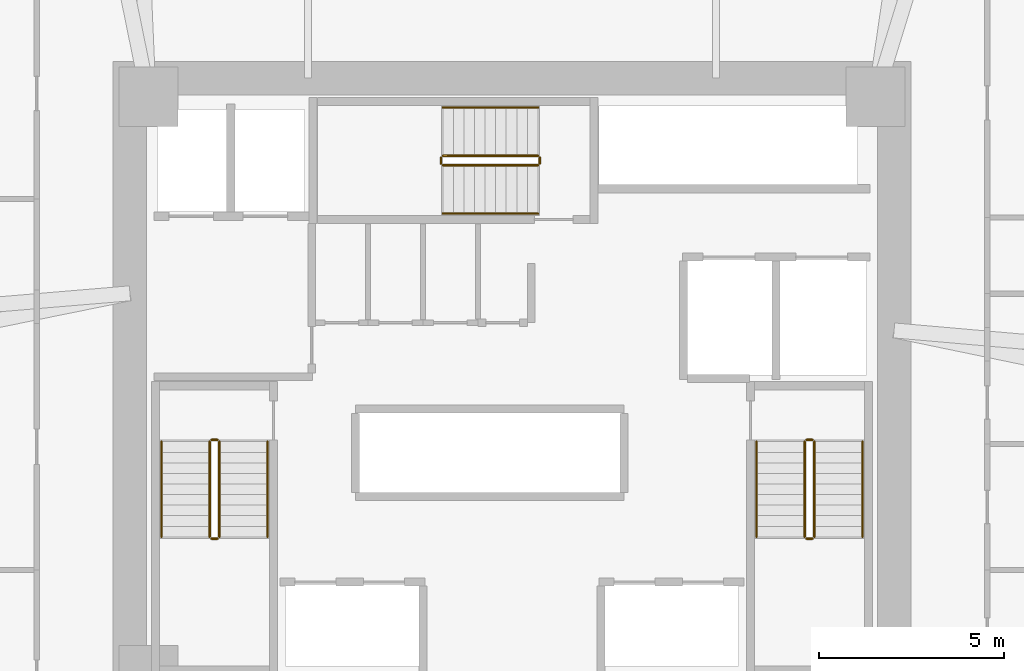
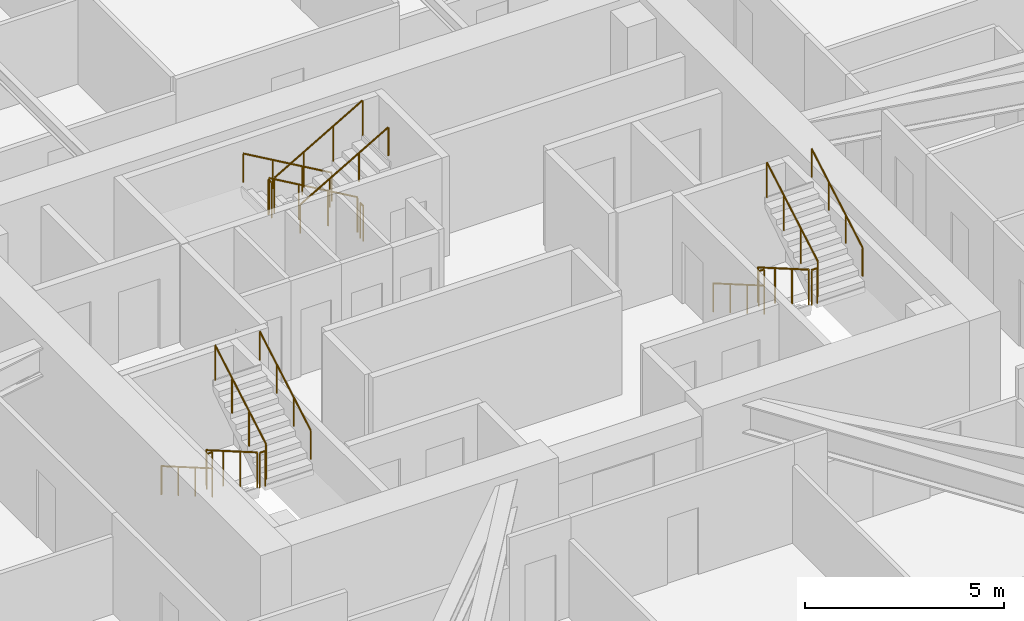
# One storey, part 15 of 15: 18 railings.
"""IFC4 building model written with IfcOpenShell, lengths in metres."""

import ifcopenshell
import ifcopenshell.guid

model = None  # the IFC model being written
_history = None  # IfcOwnerHistory: only IFC2X3 demands one
_inside = {}  # id of a spatial element -> (the spatial element, [elements in it])
_under = {}  # id of a project, library or spatial element -> (it, [spatial elements below it])
_declared = {}  # id of a project -> (the project, [libraries it declares])
_typed = {}  # id of a type object -> (the type object, [elements of that type])
_made_of = {}  # id of a material, layer set ... -> (it, [elements and type objects made of it])


def new_model(schema):
    """Start an empty IFC model of exactly this schema.

    Asked for "IFC4X3", IfcOpenShell would pick the latest addendum, in which some entities
    have other attributes; the version numbers below select the first issue.
    IFC2X3 requires an IfcOwnerHistory on every rooted entity: one is made here for all.
    """
    global model, _history
    if schema == "IFC4X3":
        model = ifcopenshell.file(schema_version=(4, 3, 0, 0))
    else:
        model = ifcopenshell.file(schema=schema)
    _inside.clear()
    _under.clear()
    _declared.clear()
    _typed.clear()
    _made_of.clear()
    _history = None
    if model.schema == "IFC2X3":
        org = make("IfcOrganization", Name="unknown")
        user = make(
            "IfcPersonAndOrganization",
            ThePerson=make("IfcPerson", FamilyName="unknown"),
            TheOrganization=org,
        )
        app = make(
            "IfcApplication",
            ApplicationDeveloper=org,
            Version="unknown",
            ApplicationFullName="unknown",
            ApplicationIdentifier="unknown",
        )
        _history = make(
            "IfcOwnerHistory",
            OwningUser=user,
            OwningApplication=app,
            ChangeAction="ADDED",
            CreationDate=0,
        )
    return model


def make(cls, **values):
    """One entity of the class cls with the attributes given. An attribute that is None is left unset."""
    return model.create_entity(
        cls, **{name: value for name, value in values.items() if value is not None}
    )


def rooted(cls, **values):
    """An entity with a GlobalId (a new one), such as an element, a storey or a relation."""
    return make(cls, GlobalId=ifcopenshell.guid.new(), OwnerHistory=_history, **values)


def si_unit(unit_type, name, prefix=None):
    """IfcSIUnit, for example si_unit("LENGTHUNIT", "METRE", prefix="MILLI")."""
    return make("IfcSIUnit", UnitType=unit_type, Prefix=prefix, Name=name)


def assignment(units):
    """IfcUnitAssignment: the units of a project."""
    return None if units is None else make("IfcUnitAssignment", Units=units)


def point(xyz):
    """IfcCartesianPoint."""
    return None if xyz is None else make("IfcCartesianPoint", Coordinates=xyz)


def direction(xyz):
    """IfcDirection."""
    return None if xyz is None else make("IfcDirection", DirectionRatios=xyz)


def frame(location, z_axis=None, x_axis=None):
    """IfcAxis2Placement3D, a coordinate frame: its origin and axes. An axis left out is left unset."""
    return make(
        "IfcAxis2Placement3D",
        Location=point(location),
        Axis=direction(z_axis),
        RefDirection=direction(x_axis),
    )


def frame_2d(location, x_axis=None):
    """IfcAxis2Placement2D, a coordinate frame in the plane: its origin and x axis."""
    return make(
        "IfcAxis2Placement2D", Location=point(location), RefDirection=direction(x_axis)
    )


def origin():
    """The frame at (0, 0, 0) with its axes left unset."""
    return frame((0.0, 0.0, 0.0))


def origin_2d():
    """The frame at (0, 0) in the plane with its x axis left unset."""
    return frame_2d((0.0, 0.0))


def place(relative_to, where):
    """IfcLocalPlacement: puts the frame where relative to a parent placement (None: the world)."""
    return make(
        "IfcLocalPlacement", PlacementRelTo=relative_to, RelativePlacement=where
    )


def context(
    kind, dimensions, precision=None, world=None, true_north=None, identifier=None
):
    """IfcGeometricRepresentationContext, for example the 3D "Model" context."""
    return make(
        "IfcGeometricRepresentationContext",
        ContextIdentifier=identifier,
        ContextType=kind,
        CoordinateSpaceDimension=dimensions,
        Precision=precision,
        WorldCoordinateSystem=world,
        TrueNorth=true_north,
    )


def subcontext(parent, identifier, kind, view, scale=None):
    """IfcGeometricRepresentationSubContext, for example "Body" below "Model"."""
    return make(
        "IfcGeometricRepresentationSubContext",
        ContextIdentifier=identifier,
        ContextType=kind,
        ParentContext=parent,
        TargetScale=scale,
        TargetView=view,
    )


def project(units=None, contexts=None):
    """IfcProject with its units and contexts."""
    return rooted(
        "IfcProject",
        Name="project",
        RepresentationContexts=contexts,
        UnitsInContext=assignment(units),
    )


def spatial(cls, under=None, at=None, **own):
    """A site, building, storey or space (cls), placed at a placement, below another one or the project."""
    s = rooted(cls, ObjectPlacement=at, **own)
    if under is not None:
        _under.setdefault(under.id(), (under, []))[1].append(s)
    return s


def profile(cls, at=None, kind="AREA", **sizes):
    """A parametric profile (cls). Its sizes go by their IFC names, for example OverallWidth=200.0."""
    return make(cls, ProfileType=kind, Position=at, **sizes)


def circle(**sizes):
    """IfcCircleProfileDef."""
    return profile("IfcCircleProfileDef", **sizes)


def extrude(swept, where, along, depth):
    """IfcExtrudedAreaSolid: the profile swept, set in the frame where, extruded along a direction by depth."""
    return make(
        "IfcExtrudedAreaSolid",
        SweptArea=swept,
        Position=where,
        ExtrudedDirection=direction(along),
        Depth=depth,
    )


def shape(context_of_items, identifier, shape_type, items):
    """IfcShapeRepresentation: the items that make up one representation, for example the "Body"."""
    return make(
        "IfcShapeRepresentation",
        ContextOfItems=context_of_items,
        RepresentationIdentifier=identifier,
        RepresentationType=shape_type,
        Items=items,
    )


def material(Name=None, Category=None):
    """IfcMaterial."""
    return make("IfcMaterial", Name=Name, Category=Category)


def made_of(thing, what):
    """Note that an element or type object is made of a material, layer set ...; save() writes the relation."""
    if what is not None:
        _made_of.setdefault(what.id(), (what, []))[1].append(thing)
    return thing


def type_object(cls, material=None, **own):
    """A type object (cls), such as IfcWallType, which elements share."""
    return made_of(rooted(cls, **own), material)


def element(
    cls,
    number,
    at=None,
    inside=None,
    cuts=None,
    type_object=None,
    material=None,
    context=None,
    identifier="Body",
    shape_type=None,
    held_by="IfcProductDefinitionShape",
    body=None,
    shapes=None,
    **own,
):
    """One element of the class cls, such as IfcWall. Its Tag is "e" and its number.

    at: its placement. inside: the storey or other place that contains it. cuts: it is an
    opening in that element (IfcRelVoidsElement). A single representation is given by context,
    identifier, shape_type and body (its items); several are given by shapes. held_by: the class
    of the entity that holds the representations. save() writes the other relations.
    """
    e = rooted(cls, Tag="e%d" % number, ObjectPlacement=at, **own)
    if body is not None:
        shapes = [shape(context, identifier, shape_type, body)]
    if shapes is not None:
        e.Representation = make(held_by, Representations=shapes)
    if inside is not None:
        _inside.setdefault(inside.id(), (inside, []))[1].append(e)
    if cuts is not None:
        rooted(
            "IfcRelVoidsElement", RelatingBuildingElement=cuts, RelatedOpeningElement=e
        )
    if type_object is not None:
        _typed.setdefault(type_object.id(), (type_object, []))[1].append(e)
    return made_of(e, material)


def aggregate(whole, parts):
    """IfcRelAggregates: a whole, such as a stair, and the parts it consists of."""
    return rooted("IfcRelAggregates", RelatingObject=whole, RelatedObjects=parts)


def save(model, path):
    """Write the relations noted so far, then the file.

    IfcRelAggregates (storeys below a building ...), IfcRelContainedInSpatialStructure (elements
    in a storey), IfcRelDefinesByType, IfcRelAssociatesMaterial and IfcRelDeclares: one each for
    every whole, place, type object, material and project.
    """
    for whole, parts in _under.values():
        aggregate(whole, parts)
    for where, things in _inside.values():
        rooted(
            "IfcRelContainedInSpatialStructure",
            RelatedElements=things,
            RelatingStructure=where,
        )
    for kind, things in _typed.values():
        rooted("IfcRelDefinesByType", RelatedObjects=things, RelatingType=kind)
    for what, things in _made_of.values():
        rooted("IfcRelAssociatesMaterial", RelatedObjects=things, RelatingMaterial=what)
    for by, libraries in _declared.values():
        rooted("IfcRelDeclares", RelatingContext=by, RelatedDefinitions=libraries)
    model.write(path)


model = new_model("IFC4")

# Units and contexts
model_context = context("Model", 3, precision=1e-05, world=origin(), true_north=direction((0.0, 1.0)))
body_context = subcontext(model_context, "Body", "Model", "MODEL_VIEW")
ifc_project = project(units=[si_unit("LENGTHUNIT", "METRE"), si_unit("AREAUNIT", "SQUARE_METRE"), si_unit("VOLUMEUNIT", "CUBIC_METRE"), si_unit("PLANEANGLEUNIT", "RADIAN"), si_unit("MASSUNIT", "GRAM", prefix="KILO")], contexts=[model_context])

# Site, building, storey
site_placement = place(None, origin())
site = spatial("IfcSite", under=ifc_project, at=site_placement, CompositionType="ELEMENT")
building_placement = place(site_placement, origin())
building = spatial("IfcBuilding", under=site, at=building_placement, Name="Durnholm Broadcast Tower", CompositionType="ELEMENT")
storey_placement = place(building_placement, frame((0.0, 0.0, 42.300048828125)))
storey = spatial("IfcBuildingStorey", under=building, at=storey_placement, Name="L09", CompositionType="ELEMENT", Elevation=42.300048828125)

# Railings
ifc_material_1 = material(Name="Painted Tubular Steel Stair Guardrail", Category="steel")
railing_type_1 = type_object("IfcRailingType", Name="RAIL-ST-GRD", PredefinedType="GUARDRAIL", material=ifc_material_1)
railing_1_placement = place(storey_placement, frame((-8.14990234375, -1.5, 0.1650390625)))
element("IfcRailing", 1, at=railing_1_placement, inside=storey, type_object=railing_type_1, Name="L09 ST-1 stair guard 1", PredefinedType="GUARDRAIL", context=body_context, shape_type="SweptSolid", body=[
    extrude(circle(Radius=0.02392578125, at=origin_2d()), frame((0.0, 0.0, 1.076171875), z_axis=(0.0, -0.865441324677, 0.50101029285), x_axis=(1.0, 0.0, 0.0)), (0.0, 0.0, 1.0), 2.963623046875),
    extrude(circle(Radius=0.02099609375, at=origin_2d()), origin(), (0.0, 0.0, 1.0), 1.052001953125),
    extrude(circle(Radius=0.02099609375, at=origin_2d()), frame((0.0, -0.85498046875, 0.494873046875)), (0.0, 0.0, 1.0), 1.052001953125),
    extrude(circle(Radius=0.02099609375, at=origin_2d()), frame((0.0, -1.7099609375, 0.989990234375)), (0.0, 0.0, 1.0), 1.052001953125),
    extrude(circle(Radius=0.02099609375, at=origin_2d()), frame((0.0, -2.56494140625, 1.48486328125)), (0.0, 0.0, 1.0), 1.052001953125),
])
railing_2_placement = place(storey_placement, frame((-8.10009765625, -4.114990234375, 1.64990234375)))
element("IfcRailing", 2, at=railing_2_placement, inside=storey, type_object=railing_type_1, Name="L09 ST-1 stair guard 2", PredefinedType="GUARDRAIL", context=body_context, shape_type="SweptSolid", body=[
    extrude(circle(Radius=0.02392578125, at=origin_2d()), frame((0.0, 0.0, 1.076171875), z_axis=(1.0, 0.0, 0.0), x_axis=(0.0, 1.0, 0.0)), (0.0, 0.0, 1.0), 0.16015625),
    extrude(circle(Radius=0.02099609375, at=origin_2d()), origin(), (0.0, 0.0, 1.0), 1.052001953125),
    extrude(circle(Radius=0.02099609375, at=origin_2d()), frame((0.16015625, 0.0, 0.0)), (0.0, 0.0, 1.0), 1.052001953125),
])
railing_3_placement = place(storey_placement, frame((-7.889892578125, -4.06494140625, 1.81494140625)))
element("IfcRailing", 3, at=railing_3_placement, inside=storey, type_object=railing_type_1, Name="L09 ST-1 stair guard 3", PredefinedType="GUARDRAIL", context=body_context, shape_type="SweptSolid", body=[
    extrude(circle(Radius=0.02392578125, at=origin_2d()), frame((0.0, 0.0, 1.076171875), z_axis=(0.0, 0.865405606168, 0.501071987656), x_axis=(-1.0, 0.0, 0.0)), (0.0, 0.0, 1.0), 2.9638671875),
    extrude(circle(Radius=0.02099609375, at=origin_2d()), origin(), (0.0, 0.0, 1.0), 1.052001953125),
    extrude(circle(Radius=0.02099609375, at=origin_2d()), frame((0.0, 0.85498046875, 0.4951171875)), (0.0, 0.0, 1.0), 1.052001953125),
    extrude(circle(Radius=0.02099609375, at=origin_2d()), frame((0.0, 1.7099609375, 0.989990234375)), (0.0, 0.0, 1.0), 1.052001953125),
    extrude(circle(Radius=0.02099609375, at=origin_2d()), frame((0.0, 2.56494140625, 1.485107421875)), (0.0, 0.0, 1.0), 1.052001953125),
])
railing_4_placement = place(storey_placement, frame((-8.10009765625, -1.449951171875, 0.0)))
element("IfcRailing", 4, at=railing_4_placement, inside=storey, type_object=railing_type_1, Name="L09 ST-1 stair guard 4", PredefinedType="GUARDRAIL", context=body_context, shape_type="SweptSolid", body=[
    extrude(circle(Radius=0.02392578125, at=origin_2d()), frame((0.0, 0.0, 1.076171875), z_axis=(1.0, 0.0, 0.0), x_axis=(0.0, 1.0, 0.0)), (0.0, 0.0, 1.0), 0.16015625),
    extrude(circle(Radius=0.02099609375, at=origin_2d()), origin(), (0.0, 0.0, 1.0), 1.052001953125),
    extrude(circle(Radius=0.02099609375, at=origin_2d()), frame((0.16015625, 0.0, 0.0)), (0.0, 0.0, 1.0), 1.052001953125),
])
railing_5_placement = place(storey_placement, frame((7.889892578125, -1.5, 0.1650390625)))
element("IfcRailing", 5, at=railing_5_placement, inside=storey, type_object=railing_type_1, Name="L09 ST-2 stair guard 1", PredefinedType="GUARDRAIL", context=body_context, shape_type="SweptSolid", body=[
    extrude(circle(Radius=0.02392578125, at=origin_2d()), frame((0.0, 0.0, 1.076171875), z_axis=(0.0, -0.865441324677, 0.50101029285), x_axis=(1.0, 0.0, 0.0)), (0.0, 0.0, 1.0), 2.963623046875),
    extrude(circle(Radius=0.02099609375, at=origin_2d()), origin(), (0.0, 0.0, 1.0), 1.052001953125),
    extrude(circle(Radius=0.02099609375, at=origin_2d()), frame((0.0, -0.85498046875, 0.494873046875)), (0.0, 0.0, 1.0), 1.052001953125),
    extrude(circle(Radius=0.02099609375, at=origin_2d()), frame((0.0, -1.7099609375, 0.989990234375)), (0.0, 0.0, 1.0), 1.052001953125),
    extrude(circle(Radius=0.02099609375, at=origin_2d()), frame((0.0, -2.56494140625, 1.48486328125)), (0.0, 0.0, 1.0), 1.052001953125),
])
railing_6_placement = place(storey_placement, frame((7.93994140625, -4.114990234375, 1.64990234375)))
element("IfcRailing", 6, at=railing_6_placement, inside=storey, type_object=railing_type_1, Name="L09 ST-2 stair guard 2", PredefinedType="GUARDRAIL", context=body_context, shape_type="SweptSolid", body=[
    extrude(circle(Radius=0.02392578125, at=origin_2d()), frame((0.0, 0.0, 1.076171875), z_axis=(1.0, 0.0, 0.0), x_axis=(0.0, 1.0, 0.0)), (0.0, 0.0, 1.0), 0.16015625),
    extrude(circle(Radius=0.02099609375, at=origin_2d()), origin(), (0.0, 0.0, 1.0), 1.052001953125),
    extrude(circle(Radius=0.02099609375, at=origin_2d()), frame((0.16015625, 0.0, 0.0)), (0.0, 0.0, 1.0), 1.052001953125),
])
railing_7_placement = place(storey_placement, frame((8.14990234375, -4.06494140625, 1.81494140625)))
element("IfcRailing", 7, at=railing_7_placement, inside=storey, type_object=railing_type_1, Name="L09 ST-2 stair guard 3", PredefinedType="GUARDRAIL", context=body_context, shape_type="SweptSolid", body=[
    extrude(circle(Radius=0.02392578125, at=origin_2d()), frame((0.0, 0.0, 1.076171875), z_axis=(0.0, 0.865405606168, 0.501071987656), x_axis=(-1.0, 0.0, 0.0)), (0.0, 0.0, 1.0), 2.9638671875),
    extrude(circle(Radius=0.02099609375, at=origin_2d()), origin(), (0.0, 0.0, 1.0), 1.052001953125),
    extrude(circle(Radius=0.02099609375, at=origin_2d()), frame((0.0, 0.85498046875, 0.4951171875)), (0.0, 0.0, 1.0), 1.052001953125),
    extrude(circle(Radius=0.02099609375, at=origin_2d()), frame((0.0, 1.7099609375, 0.989990234375)), (0.0, 0.0, 1.0), 1.052001953125),
    extrude(circle(Radius=0.02099609375, at=origin_2d()), frame((0.0, 2.56494140625, 1.485107421875)), (0.0, 0.0, 1.0), 1.052001953125),
])
railing_8_placement = place(storey_placement, frame((7.93994140625, -1.449951171875, 0.0)))
element("IfcRailing", 8, at=railing_8_placement, inside=storey, type_object=railing_type_1, Name="L09 ST-2 stair guard 4", PredefinedType="GUARDRAIL", context=body_context, shape_type="SweptSolid", body=[
    extrude(circle(Radius=0.02392578125, at=origin_2d()), frame((0.0, 0.0, 1.076171875), z_axis=(1.0, 0.0, 0.0), x_axis=(0.0, 1.0, 0.0)), (0.0, 0.0, 1.0), 0.16015625),
    extrude(circle(Radius=0.02099609375, at=origin_2d()), origin(), (0.0, 0.0, 1.0), 1.052001953125),
    extrude(circle(Radius=0.02099609375, at=origin_2d()), frame((0.16015625, 0.0, 0.0)), (0.0, 0.0, 1.0), 1.052001953125),
])
railing_9_placement = place(storey_placement, frame((0.699951171875, 6.2099609375, 0.1650390625)))
element("IfcRailing", 9, at=railing_9_placement, inside=storey, type_object=railing_type_1, Name="L09 ST-3 stair guard 1", PredefinedType="GUARDRAIL", context=body_context, shape_type="SweptSolid", body=[
    extrude(circle(Radius=0.02392578125, at=origin_2d()), frame((0.0, 0.0, 1.076171875), z_axis=(-0.865441324677, 0.0, 0.50101029285), x_axis=(0.0, -1.0, 0.0)), (0.0, 0.0, 1.0), 2.963623046875),
    extrude(circle(Radius=0.02099609375, at=origin_2d()), origin(), (0.0, 0.0, 1.0), 1.052001953125),
    extrude(circle(Radius=0.02099609375, at=origin_2d()), frame((-0.85498046875, 0.0, 0.494873046875)), (0.0, 0.0, 1.0), 1.052001953125),
    extrude(circle(Radius=0.02099609375, at=origin_2d()), frame((-1.7099609375, 0.0, 0.989990234375)), (0.0, 0.0, 1.0), 1.052001953125),
    extrude(circle(Radius=0.02099609375, at=origin_2d()), frame((-2.56494140625, 0.0, 1.48486328125)), (0.0, 0.0, 1.0), 1.052001953125),
])
railing_10_placement = place(storey_placement, frame((-1.9150390625, 6.159912109375, 1.64990234375)))
element("IfcRailing", 10, at=railing_10_placement, inside=storey, type_object=railing_type_1, Name="L09 ST-3 stair guard 2", PredefinedType="GUARDRAIL", context=body_context, shape_type="SweptSolid", body=[
    extrude(circle(Radius=0.02392578125, at=origin_2d()), frame((0.0, 0.0, 1.076171875), z_axis=(0.0, -1.0, 0.0), x_axis=(1.0, 0.0, 0.0)), (0.0, 0.0, 1.0), 0.159912109375),
    extrude(circle(Radius=0.02099609375, at=origin_2d()), origin(), (0.0, 0.0, 1.0), 1.052001953125),
    extrude(circle(Radius=0.02099609375, at=origin_2d()), frame((0.0, -0.159912109375, 0.0)), (0.0, 0.0, 1.0), 1.052001953125),
])
railing_11_placement = place(storey_placement, frame((-1.864990234375, 5.949951171875, 1.81494140625)))
element("IfcRailing", 11, at=railing_11_placement, inside=storey, type_object=railing_type_1, Name="L09 ST-3 stair guard 3", PredefinedType="GUARDRAIL", context=body_context, shape_type="SweptSolid", body=[
    extrude(circle(Radius=0.02392578125, at=origin_2d()), frame((0.0, 0.0, 1.076171875), z_axis=(0.865405606168, 0.0, 0.501071987656), x_axis=(0.0, 1.0, 0.0)), (0.0, 0.0, 1.0), 2.9638671875),
    extrude(circle(Radius=0.02099609375, at=origin_2d()), origin(), (0.0, 0.0, 1.0), 1.052001953125),
    extrude(circle(Radius=0.02099609375, at=origin_2d()), frame((0.85498046875, 0.0, 0.4951171875)), (0.0, 0.0, 1.0), 1.052001953125),
    extrude(circle(Radius=0.02099609375, at=origin_2d()), frame((1.7099609375, 0.0, 0.989990234375)), (0.0, 0.0, 1.0), 1.052001953125),
    extrude(circle(Radius=0.02099609375, at=origin_2d()), frame((2.56494140625, 0.0, 1.485107421875)), (0.0, 0.0, 1.0), 1.052001953125),
])
railing_12_placement = place(storey_placement, frame((0.75, 6.159912109375, 0.0)))
element("IfcRailing", 12, at=railing_12_placement, inside=storey, type_object=railing_type_1, Name="L09 ST-3 stair guard 4", PredefinedType="GUARDRAIL", context=body_context, shape_type="SweptSolid", body=[
    extrude(circle(Radius=0.02392578125, at=origin_2d()), frame((0.0, 0.0, 1.076171875), z_axis=(0.0, -1.0, 0.0), x_axis=(1.0, 0.0, 0.0)), (0.0, 0.0, 1.0), 0.159912109375),
    extrude(circle(Radius=0.02099609375, at=origin_2d()), origin(), (0.0, 0.0, 1.0), 1.052001953125),
    extrude(circle(Radius=0.02099609375, at=origin_2d()), frame((0.0, -0.159912109375, 0.0)), (0.0, 0.0, 1.0), 1.052001953125),
])
ifc_material_2 = material(Name="Brushed Stainless Steel Handrail", Category="steel")
railing_type_2 = type_object("IfcRailingType", Name="RAIL-ST-HND", PredefinedType="HANDRAIL", material=ifc_material_2)
railing_13_placement = place(storey_placement, frame((-9.449951171875, -1.5, 0.329833984375)))
element("IfcRailing", 13, at=railing_13_placement, inside=storey, type_object=railing_type_2, Name="L09 ST-1 stair handrail 1", PredefinedType="HANDRAIL", context=body_context, shape_type="SweptSolid", body=[
    extrude(circle(Radius=0.02392578125, at=origin_2d()), frame((0.0, 0.0, 0.8759765625), z_axis=(0.0, -0.865405606168, 0.501071987656), x_axis=(1.0, 0.0, 0.0)), (0.0, 0.0, 1.0), 2.9638671875),
    extrude(circle(Radius=0.02099609375, at=origin_2d()), origin(), (0.0, 0.0, 1.0), 0.851806640625),
    extrude(circle(Radius=0.02099609375, at=origin_2d()), frame((0.0, -0.85498046875, 0.4951171875)), (0.0, 0.0, 1.0), 0.851806640625),
    extrude(circle(Radius=0.02099609375, at=origin_2d()), frame((0.0, -1.7099609375, 0.989990234375)), (0.0, 0.0, 1.0), 0.851806640625),
    extrude(circle(Radius=0.02099609375, at=origin_2d()), frame((0.0, -2.56494140625, 1.485107421875)), (0.0, 0.0, 1.0), 0.851806640625),
])
railing_14_placement = place(storey_placement, frame((-6.590087890625, -4.06494140625, 1.97998046875)))
element("IfcRailing", 14, at=railing_14_placement, inside=storey, type_object=railing_type_2, Name="L09 ST-1 stair handrail 2", PredefinedType="HANDRAIL", context=body_context, shape_type="SweptSolid", body=[
    extrude(circle(Radius=0.02392578125, at=origin_2d()), frame((0.0, 0.0, 0.8759765625), z_axis=(0.0, 0.865441324677, 0.50101029285), x_axis=(-1.0, 0.0, 0.0)), (0.0, 0.0, 1.0), 2.963623046875),
    extrude(circle(Radius=0.02099609375, at=origin_2d()), origin(), (0.0, 0.0, 1.0), 0.851806640625),
    extrude(circle(Radius=0.02099609375, at=origin_2d()), frame((0.0, 0.85498046875, 0.494873046875)), (0.0, 0.0, 1.0), 0.851806640625),
    extrude(circle(Radius=0.02099609375, at=origin_2d()), frame((0.0, 1.7099609375, 0.989990234375)), (0.0, 0.0, 1.0), 0.851806640625),
    extrude(circle(Radius=0.02099609375, at=origin_2d()), frame((0.0, 2.56494140625, 1.48486328125)), (0.0, 0.0, 1.0), 0.851806640625),
])
railing_15_placement = place(storey_placement, frame((6.590087890625, -1.5, 0.329833984375)))
element("IfcRailing", 15, at=railing_15_placement, inside=storey, type_object=railing_type_2, Name="L09 ST-2 stair handrail 1", PredefinedType="HANDRAIL", context=body_context, shape_type="SweptSolid", body=[
    extrude(circle(Radius=0.02392578125, at=origin_2d()), frame((0.0, 0.0, 0.8759765625), z_axis=(0.0, -0.865405606168, 0.501071987656), x_axis=(1.0, 0.0, 0.0)), (0.0, 0.0, 1.0), 2.9638671875),
    extrude(circle(Radius=0.02099609375, at=origin_2d()), origin(), (0.0, 0.0, 1.0), 0.851806640625),
    extrude(circle(Radius=0.02099609375, at=origin_2d()), frame((0.0, -0.85498046875, 0.4951171875)), (0.0, 0.0, 1.0), 0.851806640625),
    extrude(circle(Radius=0.02099609375, at=origin_2d()), frame((0.0, -1.7099609375, 0.989990234375)), (0.0, 0.0, 1.0), 0.851806640625),
    extrude(circle(Radius=0.02099609375, at=origin_2d()), frame((0.0, -2.56494140625, 1.485107421875)), (0.0, 0.0, 1.0), 0.851806640625),
])
railing_16_placement = place(storey_placement, frame((9.449951171875, -4.06494140625, 1.97998046875)))
element("IfcRailing", 16, at=railing_16_placement, inside=storey, type_object=railing_type_2, Name="L09 ST-2 stair handrail 2", PredefinedType="HANDRAIL", context=body_context, shape_type="SweptSolid", body=[
    extrude(circle(Radius=0.02392578125, at=origin_2d()), frame((0.0, 0.0, 0.8759765625), z_axis=(0.0, 0.865441324677, 0.50101029285), x_axis=(-1.0, 0.0, 0.0)), (0.0, 0.0, 1.0), 2.963623046875),
    extrude(circle(Radius=0.02099609375, at=origin_2d()), origin(), (0.0, 0.0, 1.0), 0.851806640625),
    extrude(circle(Radius=0.02099609375, at=origin_2d()), frame((0.0, 0.85498046875, 0.494873046875)), (0.0, 0.0, 1.0), 0.851806640625),
    extrude(circle(Radius=0.02099609375, at=origin_2d()), frame((0.0, 1.7099609375, 0.989990234375)), (0.0, 0.0, 1.0), 0.851806640625),
    extrude(circle(Radius=0.02099609375, at=origin_2d()), frame((0.0, 2.56494140625, 1.48486328125)), (0.0, 0.0, 1.0), 0.851806640625),
])
railing_17_placement = place(storey_placement, frame((0.699951171875, 7.510009765625, 0.329833984375)))
element("IfcRailing", 17, at=railing_17_placement, inside=storey, type_object=railing_type_2, Name="L09 ST-3 stair handrail 1", PredefinedType="HANDRAIL", context=body_context, shape_type="SweptSolid", body=[
    extrude(circle(Radius=0.02392578125, at=origin_2d()), frame((0.0, 0.0, 0.8759765625), z_axis=(-0.865405606168, 0.0, 0.501071987656), x_axis=(0.0, -1.0, 0.0)), (0.0, 0.0, 1.0), 2.9638671875),
    extrude(circle(Radius=0.02099609375, at=origin_2d()), origin(), (0.0, 0.0, 1.0), 0.851806640625),
    extrude(circle(Radius=0.02099609375, at=origin_2d()), frame((-0.85498046875, 0.0, 0.4951171875)), (0.0, 0.0, 1.0), 0.851806640625),
    extrude(circle(Radius=0.02099609375, at=origin_2d()), frame((-1.7099609375, 0.0, 0.989990234375)), (0.0, 0.0, 1.0), 0.851806640625),
    extrude(circle(Radius=0.02099609375, at=origin_2d()), frame((-2.56494140625, 0.0, 1.485107421875)), (0.0, 0.0, 1.0), 0.851806640625),
])
railing_18_placement = place(storey_placement, frame((-1.864990234375, 4.64990234375, 1.97998046875)))
element("IfcRailing", 18, at=railing_18_placement, inside=storey, type_object=railing_type_2, Name="L09 ST-3 stair handrail 2", PredefinedType="HANDRAIL", context=body_context, shape_type="SweptSolid", body=[
    extrude(circle(Radius=0.02392578125, at=origin_2d()), frame((0.0, 0.0, 0.8759765625), z_axis=(0.865441324677, 0.0, 0.50101029285), x_axis=(0.0, 1.0, 0.0)), (0.0, 0.0, 1.0), 2.963623046875),
    extrude(circle(Radius=0.02099609375, at=origin_2d()), origin(), (0.0, 0.0, 1.0), 0.851806640625),
    extrude(circle(Radius=0.02099609375, at=origin_2d()), frame((0.85498046875, 0.0, 0.494873046875)), (0.0, 0.0, 1.0), 0.851806640625),
    extrude(circle(Radius=0.02099609375, at=origin_2d()), frame((1.7099609375, 0.0, 0.989990234375)), (0.0, 0.0, 1.0), 0.851806640625),
    extrude(circle(Radius=0.02099609375, at=origin_2d()), frame((2.56494140625, 0.0, 1.48486328125)), (0.0, 0.0, 1.0), 0.851806640625),
])

save(model, "model.ifc")
